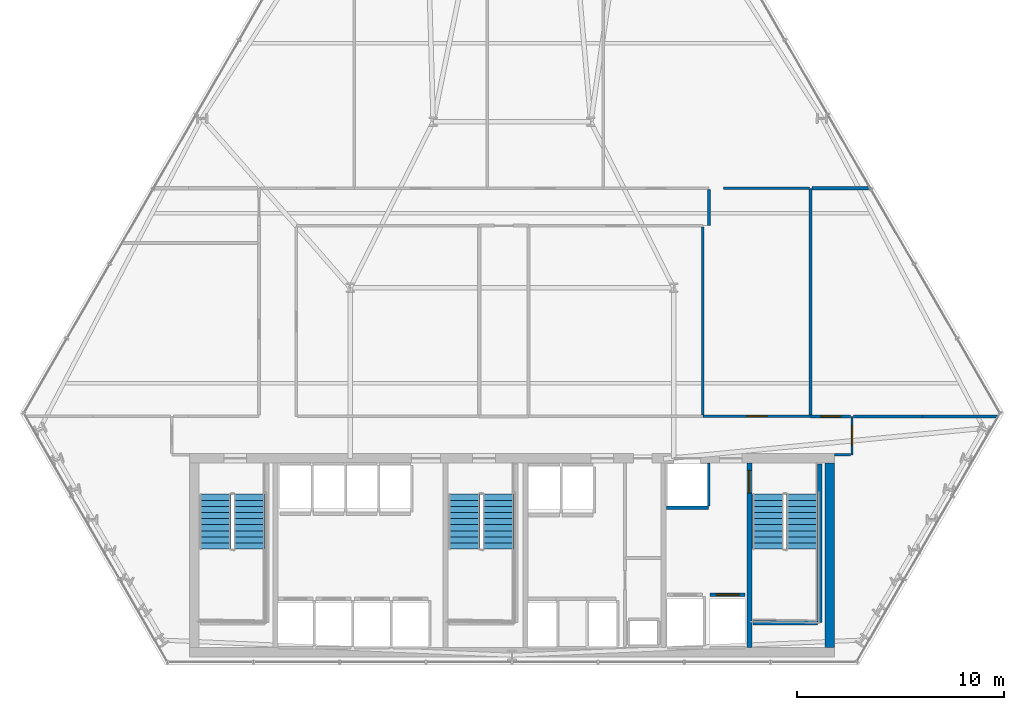
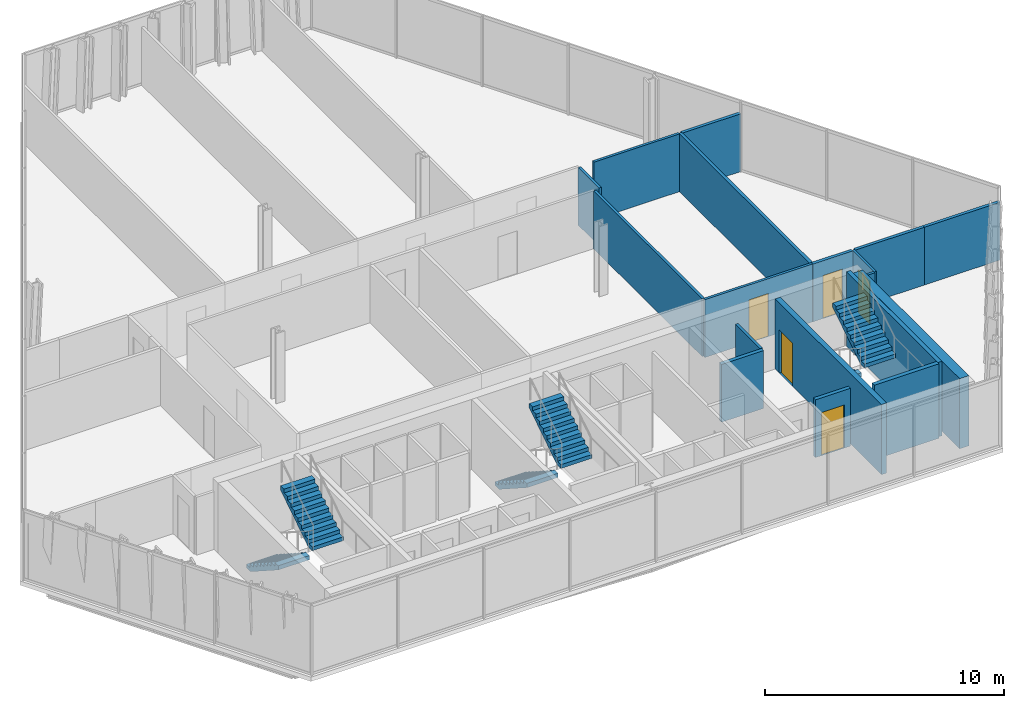
# One storey, part 29 of 32: 18 walls, 6 stair flights, 5 doors, 5 openings, 3 elements without a shape of their own.
"""IFC4 building model written with IfcOpenShell, lengths in metres."""

import ifcopenshell
import ifcopenshell.guid

model = None  # the IFC model being written
_history = None  # IfcOwnerHistory: only IFC2X3 demands one
_inside = {}  # id of a spatial element -> (the spatial element, [elements in it])
_under = {}  # id of a project, library or spatial element -> (it, [spatial elements below it])
_declared = {}  # id of a project -> (the project, [libraries it declares])
_typed = {}  # id of a type object -> (the type object, [elements of that type])
_made_of = {}  # id of a material, layer set ... -> (it, [elements and type objects made of it])


def new_model(schema):
    """Start an empty IFC model of exactly this schema.

    Asked for "IFC4X3", IfcOpenShell would pick the latest addendum, in which some entities
    have other attributes; the version numbers below select the first issue.
    IFC2X3 requires an IfcOwnerHistory on every rooted entity: one is made here for all.
    """
    global model, _history
    if schema == "IFC4X3":
        model = ifcopenshell.file(schema_version=(4, 3, 0, 0))
    else:
        model = ifcopenshell.file(schema=schema)
    _inside.clear()
    _under.clear()
    _declared.clear()
    _typed.clear()
    _made_of.clear()
    _history = None
    if model.schema == "IFC2X3":
        org = make("IfcOrganization", Name="unknown")
        user = make(
            "IfcPersonAndOrganization",
            ThePerson=make("IfcPerson", FamilyName="unknown"),
            TheOrganization=org,
        )
        app = make(
            "IfcApplication",
            ApplicationDeveloper=org,
            Version="unknown",
            ApplicationFullName="unknown",
            ApplicationIdentifier="unknown",
        )
        _history = make(
            "IfcOwnerHistory",
            OwningUser=user,
            OwningApplication=app,
            ChangeAction="ADDED",
            CreationDate=0,
        )
    return model


def make(cls, **values):
    """One entity of the class cls with the attributes given. An attribute that is None is left unset."""
    return model.create_entity(
        cls, **{name: value for name, value in values.items() if value is not None}
    )


def rooted(cls, **values):
    """An entity with a GlobalId (a new one), such as an element, a storey or a relation."""
    return make(cls, GlobalId=ifcopenshell.guid.new(), OwnerHistory=_history, **values)


def si_unit(unit_type, name, prefix=None):
    """IfcSIUnit, for example si_unit("LENGTHUNIT", "METRE", prefix="MILLI")."""
    return make("IfcSIUnit", UnitType=unit_type, Prefix=prefix, Name=name)


def assignment(units):
    """IfcUnitAssignment: the units of a project."""
    return None if units is None else make("IfcUnitAssignment", Units=units)


def point(xyz):
    """IfcCartesianPoint."""
    return None if xyz is None else make("IfcCartesianPoint", Coordinates=xyz)


def direction(xyz):
    """IfcDirection."""
    return None if xyz is None else make("IfcDirection", DirectionRatios=xyz)


def frame(location, z_axis=None, x_axis=None):
    """IfcAxis2Placement3D, a coordinate frame: its origin and axes. An axis left out is left unset."""
    return make(
        "IfcAxis2Placement3D",
        Location=point(location),
        Axis=direction(z_axis),
        RefDirection=direction(x_axis),
    )


def frame_2d(location, x_axis=None):
    """IfcAxis2Placement2D, a coordinate frame in the plane: its origin and x axis."""
    return make(
        "IfcAxis2Placement2D", Location=point(location), RefDirection=direction(x_axis)
    )


def origin():
    """The frame at (0, 0, 0) with its axes left unset."""
    return frame((0.0, 0.0, 0.0))


def place(relative_to, where):
    """IfcLocalPlacement: puts the frame where relative to a parent placement (None: the world)."""
    return make(
        "IfcLocalPlacement", PlacementRelTo=relative_to, RelativePlacement=where
    )


def context(
    kind, dimensions, precision=None, world=None, true_north=None, identifier=None
):
    """IfcGeometricRepresentationContext, for example the 3D "Model" context."""
    return make(
        "IfcGeometricRepresentationContext",
        ContextIdentifier=identifier,
        ContextType=kind,
        CoordinateSpaceDimension=dimensions,
        Precision=precision,
        WorldCoordinateSystem=world,
        TrueNorth=true_north,
    )


def subcontext(parent, identifier, kind, view, scale=None):
    """IfcGeometricRepresentationSubContext, for example "Body" below "Model"."""
    return make(
        "IfcGeometricRepresentationSubContext",
        ContextIdentifier=identifier,
        ContextType=kind,
        ParentContext=parent,
        TargetScale=scale,
        TargetView=view,
    )


def project(units=None, contexts=None):
    """IfcProject with its units and contexts."""
    return rooted(
        "IfcProject",
        Name="project",
        RepresentationContexts=contexts,
        UnitsInContext=assignment(units),
    )


def spatial(cls, under=None, at=None, **own):
    """A site, building, storey or space (cls), placed at a placement, below another one or the project."""
    s = rooted(cls, ObjectPlacement=at, **own)
    if under is not None:
        _under.setdefault(under.id(), (under, []))[1].append(s)
    return s


def polyline(points):
    """IfcPolyline through the points."""
    return make("IfcPolyline", Points=[point(p) for p in points])


def profile(cls, at=None, kind="AREA", **sizes):
    """A parametric profile (cls). Its sizes go by their IFC names, for example OverallWidth=200.0."""
    return make(cls, ProfileType=kind, Position=at, **sizes)


def rectangle(**sizes):
    """IfcRectangleProfileDef."""
    return profile("IfcRectangleProfileDef", **sizes)


def outline(outer, holes=None, kind="AREA"):
    """IfcArbitraryClosedProfileDef: a profile drawn as a closed curve; with holes, ...WithVoids."""
    if holes is None:
        return make("IfcArbitraryClosedProfileDef", ProfileType=kind, OuterCurve=outer)
    return make(
        "IfcArbitraryProfileDefWithVoids",
        ProfileType=kind,
        OuterCurve=outer,
        InnerCurves=holes,
    )


def extrude(swept, where, along, depth):
    """IfcExtrudedAreaSolid: the profile swept, set in the frame where, extruded along a direction by depth."""
    return make(
        "IfcExtrudedAreaSolid",
        SweptArea=swept,
        Position=where,
        ExtrudedDirection=direction(along),
        Depth=depth,
    )


def shape(context_of_items, identifier, shape_type, items):
    """IfcShapeRepresentation: the items that make up one representation, for example the "Body"."""
    return make(
        "IfcShapeRepresentation",
        ContextOfItems=context_of_items,
        RepresentationIdentifier=identifier,
        RepresentationType=shape_type,
        Items=items,
    )


def material(Name=None, Category=None):
    """IfcMaterial."""
    return make("IfcMaterial", Name=Name, Category=Category)


def layer(
    of_material, thickness, ventilated=None, Name=None, Category=None, Priority=None
):
    """IfcMaterialLayer: one layer of a wall or slab, of a material (None: an air gap)."""
    return make(
        "IfcMaterialLayer",
        Material=of_material,
        LayerThickness=thickness,
        IsVentilated=ventilated,
        Name=Name,
        Category=Category,
        Priority=Priority,
    )


def layer_set(layers, Name=None):
    """IfcMaterialLayerSet."""
    return make("IfcMaterialLayerSet", MaterialLayers=layers, LayerSetName=Name)


def made_of(thing, what):
    """Note that an element or type object is made of a material, layer set ...; save() writes the relation."""
    if what is not None:
        _made_of.setdefault(what.id(), (what, []))[1].append(thing)
    return thing


def type_object(cls, material=None, **own):
    """A type object (cls), such as IfcWallType, which elements share."""
    return made_of(rooted(cls, **own), material)


def element(
    cls,
    number,
    at=None,
    inside=None,
    cuts=None,
    type_object=None,
    material=None,
    context=None,
    identifier="Body",
    shape_type=None,
    held_by="IfcProductDefinitionShape",
    body=None,
    shapes=None,
    **own,
):
    """One element of the class cls, such as IfcWall. Its Tag is "e" and its number.

    at: its placement. inside: the storey or other place that contains it. cuts: it is an
    opening in that element (IfcRelVoidsElement). A single representation is given by context,
    identifier, shape_type and body (its items); several are given by shapes. held_by: the class
    of the entity that holds the representations. save() writes the other relations.
    """
    e = rooted(cls, Tag="e%d" % number, ObjectPlacement=at, **own)
    if body is not None:
        shapes = [shape(context, identifier, shape_type, body)]
    if shapes is not None:
        e.Representation = make(held_by, Representations=shapes)
    if inside is not None:
        _inside.setdefault(inside.id(), (inside, []))[1].append(e)
    if cuts is not None:
        rooted(
            "IfcRelVoidsElement", RelatingBuildingElement=cuts, RelatedOpeningElement=e
        )
    if type_object is not None:
        _typed.setdefault(type_object.id(), (type_object, []))[1].append(e)
    return made_of(e, material)


def fill(opening, filler):
    """IfcRelFillsElement: the door or window that sits in an opening."""
    return rooted(
        "IfcRelFillsElement",
        RelatingOpeningElement=opening,
        RelatedBuildingElement=filler,
    )


def aggregate(whole, parts):
    """IfcRelAggregates: a whole, such as a stair, and the parts it consists of."""
    return rooted("IfcRelAggregates", RelatingObject=whole, RelatedObjects=parts)


def save(model, path):
    """Write the relations noted so far, then the file.

    IfcRelAggregates (storeys below a building ...), IfcRelContainedInSpatialStructure (elements
    in a storey), IfcRelDefinesByType, IfcRelAssociatesMaterial and IfcRelDeclares: one each for
    every whole, place, type object, material and project.
    """
    for whole, parts in _under.values():
        aggregate(whole, parts)
    for where, things in _inside.values():
        rooted(
            "IfcRelContainedInSpatialStructure",
            RelatedElements=things,
            RelatingStructure=where,
        )
    for kind, things in _typed.values():
        rooted("IfcRelDefinesByType", RelatedObjects=things, RelatingType=kind)
    for what, things in _made_of.values():
        rooted("IfcRelAssociatesMaterial", RelatedObjects=things, RelatingMaterial=what)
    for by, libraries in _declared.values():
        rooted("IfcRelDeclares", RelatingContext=by, RelatedDefinitions=libraries)
    model.write(path)


model = new_model("IFC4")

# Units and contexts
model_context = context("Model", 3, precision=1e-05, world=origin(), true_north=direction((0.0, 1.0)))
body_context = subcontext(model_context, "Body", "Model", "MODEL_VIEW")
ifc_project = project(units=[si_unit("LENGTHUNIT", "METRE"), si_unit("AREAUNIT", "SQUARE_METRE"), si_unit("VOLUMEUNIT", "CUBIC_METRE"), si_unit("PLANEANGLEUNIT", "RADIAN"), si_unit("MASSUNIT", "GRAM", prefix="KILO")], contexts=[model_context])

# Site, building, storey
site_placement = place(None, origin())
site = spatial("IfcSite", under=ifc_project, at=site_placement, CompositionType="ELEMENT")
building_placement = place(site_placement, origin())
building = spatial("IfcBuilding", under=site, at=building_placement, Name="Ndaravel Arena Tower", CompositionType="ELEMENT")
storey_placement = place(building_placement, frame((0.0, 0.0, 96.800048828125)))
storey = spatial("IfcBuildingStorey", under=building, at=storey_placement, Name="L22", CompositionType="ELEMENT", Elevation=96.800048828125)

# Wall, opening, door
ifc_material_1 = material(Name="Concrete C60/75", Category="concrete")
ifc_layer_1 = layer(ifc_material_1, 0.25)
ifc_layer_set_1 = layer_set([ifc_layer_1], Name="Concrete C60/75")
wall_type_1 = type_object("IfcWallType", Name="WALL-CORE-250", PredefinedType="SOLIDWALL", material=ifc_layer_set_1)
wall_1_placement = place(storey_placement, frame((53.449951171875, 5.85009765625, 0.0), z_axis=(0.0, 0.0, 1.0), x_axis=(0.0, 1.0, 0.0)))
wall_1 = element("IfcWall", 1, at=wall_1_placement, inside=storey, type_object=wall_type_1, Name="L22 Core Web Shear Wall 5", PredefinedType="SOLIDWALL", context=body_context, shape_type="SweptSolid", body=[
    extrude(rectangle(XDim=8.89990234375, YDim=0.25, at=frame_2d((4.449951171875, 0.0))), origin(), (0.0, 0.0, 1.0), 3.579833984375),
])
opening_1_placement = place(wall_1_placement, frame((7.449951171875, 0.0, 0.0)))
opening_1 = element("IfcOpeningElement", 2, at=opening_1_placement, cuts=wall_1, Name="Opening FD-01", PredefinedType="OPENING", context=body_context, shape_type="SweptSolid", body=[
    extrude(rectangle(XDim=1.10009765625, YDim=2.199951171875, at=frame_2d((0.550048828125, 1.10009765625))), frame((0.0, 0.125, 0.0), z_axis=(0.0, -1.0, 0.0), x_axis=(1.0, 0.0, 0.0)), (0.0, 0.0, 1.0), 0.25),
])
ifc_material_2 = material(Name="Steel S355", Category="steel")
door_type_1 = type_object("IfcDoorType", Name="DT-01-STAIR-1100", OperationType="SINGLE_SWING_LEFT", PredefinedType="DOOR", material=ifc_material_2)
door_1_placement = place(opening_1_placement, origin())
door_1 = element("IfcDoor", 3, at=door_1_placement, inside=storey, type_object=door_type_1, Name="L22 Firefighting Lobby to ST-3 Door", OperationType="SINGLE_SWING_LEFT", OverallHeight=2.199951171875, OverallWidth=1.10009765625, PredefinedType="DOOR", context=body_context, shape_type="SweptSolid", body=[
    extrude(rectangle(XDim=1.10009765625, YDim=2.199951171875, at=frame_2d((0.550048828125, 1.10009765625))), frame((0.0, 0.02490234375, 0.0), z_axis=(0.0, -1.0, 0.0), x_axis=(1.0, 0.0, 0.0)), (0.0, 0.0, 1.0), 0.050048828125),
])
fill(opening_1, door_1)

# Wall
ifc_material_3 = material(Name="Concrete C60/75", Category="concrete")
ifc_layer_2 = layer(ifc_material_3, 0.449951171875)
ifc_layer_set_2 = layer_set([ifc_layer_2], Name="Concrete C60/75")
wall_type_2 = type_object("IfcWallType", Name="WALL-CORE-450", PredefinedType="SOLIDWALL", material=ifc_layer_set_2)
wall_2_placement = place(storey_placement, frame((57.324951171875, 5.85009765625, 0.0), z_axis=(0.0, 0.0, 1.0), x_axis=(0.0, 1.0, 0.0)))
element("IfcWall", 4, at=wall_2_placement, inside=storey, type_object=wall_type_2, Name="L22 Core East Shear Wall", PredefinedType="SOLIDWALL", context=body_context, shape_type="SweptSolid", body=[
    extrude(rectangle(XDim=8.89990234375, YDim=0.449951171875, at=frame_2d((4.449951171875, 0.0))), origin(), (0.0, 0.0, 1.0), 3.579833984375),
])

# Wall, opening, door
ifc_material_4 = material(Name="Timber", Category="wood")
ifc_layer_3 = layer(ifc_material_4, 0.10009765625)
ifc_layer_set_3 = layer_set([ifc_layer_3], Name="Timber")
wall_type_3 = type_object("IfcWallType", Name="WALL-MOVABLE-100", PredefinedType="MOVABLE", material=ifc_layer_set_3)
wall_3_placement = place(storey_placement, frame((58.39990234375, 17.0, 0.0), z_axis=(0.0, 0.0, 1.0), x_axis=(0.0, -1.0, 0.0)))
wall_3 = element("IfcWall", 5, at=wall_3_placement, inside=storey, type_object=wall_type_3, Name="L22 Interior Partition 001", PredefinedType="MOVABLE", context=body_context, shape_type="SweptSolid", body=[
    extrude(rectangle(XDim=1.85009765625, YDim=0.10009765625, at=frame_2d((0.925048828125, 0.0))), origin(), (0.0, 0.0, 1.0), 2.949951171875),
])
opening_2_placement = place(wall_3_placement, frame((0.449951171875, 0.0, 0.0)))
opening_2 = element("IfcOpeningElement", 6, at=opening_2_placement, cuts=wall_3, Name="Opening ID-01", PredefinedType="OPENING", context=body_context, shape_type="SweptSolid", body=[
    extrude(rectangle(XDim=0.949951171875, YDim=2.199951171875, at=frame_2d((0.47509765625, 1.10009765625))), frame((0.0, 0.050048828125, 0.0), z_axis=(0.0, -1.0, 0.0), x_axis=(1.0, 0.0, 0.0)), (0.0, 0.0, 1.0), 0.10009765625),
])
ifc_material_5 = material(Name="Timber", Category="wood")
door_type_2 = type_object("IfcDoorType", Name="DT-03-OFFICE-950", OperationType="SINGLE_SWING_LEFT", PredefinedType="DOOR", material=ifc_material_5)
door_2_placement = place(opening_2_placement, origin())
door_2 = element("IfcDoor", 7, at=door_2_placement, inside=storey, type_object=door_type_2, Name="L22 Staff Wellness Clinic Door", OperationType="SINGLE_SWING_RIGHT", OverallHeight=2.199951171875, OverallWidth=0.949951171875, PredefinedType="DOOR", context=body_context, shape_type="SweptSolid", body=[
    extrude(rectangle(XDim=0.949951171875, YDim=2.199951171875, at=frame_2d((0.47509765625, 1.10009765625))), frame((0.0, 0.02490234375, 0.0), z_axis=(0.0, -1.0, 0.0), x_axis=(1.0, 0.0, 0.0)), (0.0, 0.0, 1.0), 0.050048828125),
])
fill(opening_2, door_2)

# Walls
ifc_material_6 = material(Name="Gypsum", Category="gypsum")
ifc_layer_4 = layer(ifc_material_6, 0.125)
ifc_layer_set_4 = layer_set([ifc_layer_4], Name="Gypsum")
wall_type_4 = type_object("IfcWallType", Name="WALL-PART-125", PredefinedType="PARTITIONING", material=ifc_layer_set_4)
wall_4_placement = place(storey_placement, frame((58.3349609375, 15.14990234375, 0.0), z_axis=(0.0, 0.0, 1.0), x_axis=(-1.0, 0.0, 0.0)))
element("IfcWall", 8, at=wall_4_placement, inside=storey, type_object=wall_type_4, Name="L22 Interior Partition 002", PredefinedType="PARTITIONING", context=body_context, shape_type="SweptSolid", body=[
    extrude(rectangle(XDim=0.784912109375, YDim=0.125, at=frame_2d((0.392578125, 0.0))), origin(), (0.0, 0.0, 1.0), 2.949951171875),
])
wall_5_placement = place(storey_placement, frame((51.5, 27.93505859375, 0.0), z_axis=(0.0, 0.0, 1.0), x_axis=(0.0, -1.0, 0.0)))
element("IfcWall", 9, at=wall_5_placement, inside=storey, type_object=wall_type_4, Name="L22 Interior Partition 015", PredefinedType="PARTITIONING", context=body_context, shape_type="SweptSolid", body=[
    extrude(rectangle(XDim=1.735107421875, YDim=0.125, at=frame_2d((0.86767578125, 0.0))), origin(), (0.0, 0.0, 1.0), 2.949951171875),
])

# Wall, opening, door
wall_6_placement = place(storey_placement, frame((51.199951171875, 17.0, 0.0), z_axis=(0.0, 0.0, 1.0), x_axis=(1.0, 0.0, 0.0)))
wall_6 = element("IfcWall", 10, at=wall_6_placement, inside=storey, type_object=wall_type_4, Name="L22 Interior Partition 023", PredefinedType="PARTITIONING", context=body_context, shape_type="SweptSolid", body=[
    extrude(rectangle(XDim=5.199951171875, YDim=0.125, at=frame_2d((2.60009765625, 0.0))), origin(), (0.0, 0.0, 1.0), 2.949951171875),
])
opening_3_placement = place(wall_6_placement, frame((2.125, 0.0, 0.0)))
opening_3 = element("IfcOpeningElement", 11, at=opening_3_placement, cuts=wall_6, Name="Opening ID-01", PredefinedType="OPENING", context=body_context, shape_type="SweptSolid", body=[
    extrude(rectangle(XDim=0.949951171875, YDim=2.199951171875, at=frame_2d((0.47509765625, 1.10009765625))), frame((0.0, 0.0625, 0.0), z_axis=(0.0, -1.0, 0.0), x_axis=(1.0, 0.0, 0.0)), (0.0, 0.0, 1.0), 0.125),
])
door_3_placement = place(opening_3_placement, origin())
door_3 = element("IfcDoor", 12, at=door_3_placement, inside=storey, type_object=door_type_2, Name="L22 Occupational Consult Room 2 Door", OperationType="SINGLE_SWING_RIGHT", OverallHeight=2.199951171875, OverallWidth=0.949951171875, PredefinedType="DOOR", context=body_context, shape_type="SweptSolid", body=[
    extrude(rectangle(XDim=0.949951171875, YDim=2.199951171875, at=frame_2d((0.47509765625, 1.10009765625))), frame((0.0, 0.02490234375, 0.0), z_axis=(0.0, -1.0, 0.0), x_axis=(1.0, 0.0, 0.0)), (0.0, 0.0, 1.0), 0.050048828125),
])
fill(opening_3, door_3)

# Walls
wall_7_placement = place(storey_placement, frame((51.199951171875, 26.135009765625, 0.0), z_axis=(0.0, 0.0, 1.0), x_axis=(0.0, -1.0, 0.0)))
element("IfcWall", 13, at=wall_7_placement, inside=storey, type_object=wall_type_4, Name="L22 Interior Partition 034", PredefinedType="PARTITIONING", context=body_context, shape_type="SweptSolid", body=[
    extrude(rectangle(XDim=9.070068359375, YDim=0.125, at=frame_2d((4.53515625, 0.0))), origin(), (0.0, 0.0, 1.0), 2.949951171875),
])
wall_8_placement = place(storey_placement, frame((52.199951171875, 28.0, 0.0), z_axis=(0.0, 0.0, 1.0), x_axis=(1.0, 0.0, 0.0)))
element("IfcWall", 14, at=wall_8_placement, inside=storey, type_object=wall_type_4, Name="L22 Interior Partition 035", PredefinedType="PARTITIONING", context=body_context, shape_type="SweptSolid", body=[
    extrude(rectangle(XDim=4.135009765625, YDim=0.125, at=frame_2d((2.0673828125, 0.0))), origin(), (0.0, 0.0, 1.0), 2.949951171875),
])
ifc_material_7 = material(Name="Concrete C40/50", Category="concrete")
ifc_layer_5 = layer(ifc_material_7, 0.1201171875)
ifc_layer_set_5 = layer_set([ifc_layer_5], Name="Concrete C40/50")
wall_type_5 = type_object("IfcWallType", Name="WALL-SHAFT-120", PredefinedType="SOLIDWALL", material=ifc_layer_set_5)
wall_9_placement = place(storey_placement, frame((51.47998046875, 12.68994140625, 0.0), z_axis=(0.0, 0.0, 1.0), x_axis=(0.0, 1.0, 0.0)))
element("IfcWall", 15, at=wall_9_placement, inside=storey, type_object=wall_type_5, Name="L22 SVL-1 Shaft E Wall", PredefinedType="SOLIDWALL", context=body_context, shape_type="SweptSolid", body=[
    extrude(rectangle(XDim=2.070068359375, YDim=0.1201171875, at=frame_2d((1.03515625, 0.0))), origin(), (0.0, 0.0, 1.0), 2.949951171875),
])
ifc_material_8 = material(Name="Concrete C40/50", Category="concrete")
ifc_layer_6 = layer(ifc_material_8, 0.199951171875)
ifc_layer_set_6 = layer_set([ifc_layer_6], Name="Concrete C40/50")
wall_type_6 = type_object("IfcWallType", Name="WALL-SHAFT-200", PredefinedType="SOLIDWALL", material=ifc_layer_set_6)
wall_10_placement = place(storey_placement, frame((56.840087890625, 14.699951171875, 0.0), z_axis=(0.0, 0.0, 1.0), x_axis=(0.0, -1.0, 0.0)))
element("IfcWall", 16, at=wall_10_placement, inside=storey, type_object=wall_type_6, Name="L22 ST-3 Structural Shaft Wall Right", PredefinedType="SOLIDWALL", context=body_context, shape_type="SweptSolid", body=[
    extrude(rectangle(XDim=7.64990234375, YDim=0.199951171875, at=frame_2d((3.824951171875, 0.0))), origin(), (0.0, 0.0, 1.0), 3.800048828125),
])
wall_11_placement = place(storey_placement, frame((53.6201171875, 7.050048828125, 0.0), z_axis=(0.0, 0.0, 1.0), x_axis=(1.0, 0.0, 0.0)))
element("IfcWall", 17, at=wall_11_placement, inside=storey, type_object=wall_type_6, Name="L22 ST-3 Structural Shaft Wall Far", PredefinedType="SOLIDWALL", context=body_context, shape_type="SweptSolid", body=[
    extrude(rectangle(XDim=3.114990234375, YDim=0.199951171875, at=frame_2d((1.5576171875, 0.0))), origin(), (0.0, 0.0, 1.0), 3.800048828125),
])

# Wall, opening, door
wall_12_placement = place(storey_placement, frame((51.554931640625, 8.39990234375, 0.0), z_axis=(0.0, 0.0, 1.0), x_axis=(1.0, 0.0, 0.0)))
wall_12 = element("IfcWall", 18, at=wall_12_placement, inside=storey, type_object=wall_type_6, Name="L22 FFL-2 Shaft Landing Wall", PredefinedType="SOLIDWALL", context=body_context, shape_type="SweptSolid", body=[
    extrude(rectangle(XDim=1.690185546875, YDim=0.179931640625, at=frame_2d((0.84521484375, 0.0))), origin(), (0.0, 0.0, 1.0), 2.949951171875),
])
opening_4_placement = place(wall_12_placement, frame((0.294921875, 0.0, 0.0)))
opening_4 = element("IfcOpeningElement", 19, at=opening_4_placement, cuts=wall_12, Name="Opening LD-01", PredefinedType="OPENING", context=body_context, shape_type="SweptSolid", body=[
    extrude(rectangle(XDim=1.10009765625, YDim=2.199951171875, at=frame_2d((0.550048828125, 1.10009765625))), frame((0.0, 0.08984375, 0.0), z_axis=(0.0, -1.0, 0.0), x_axis=(1.0, 0.0, 0.0)), (0.0, 0.0, 1.0), 0.179931640625),
])
ifc_material_9 = material(Name="Steel S355", Category="steel")
door_type_3 = type_object("IfcDoorType", Name="DT-06-LIFT-1100", OperationType="SLIDING_TO_LEFT", PredefinedType="DOOR", material=ifc_material_9)
door_4_placement = place(opening_4_placement, origin())
door_4 = element("IfcDoor", 20, at=door_4_placement, inside=storey, type_object=door_type_3, Name="L22 Lift FFL-2 Sliding Landing Door", OperationType="SLIDING_TO_LEFT", OverallHeight=2.199951171875, OverallWidth=1.10009765625, PredefinedType="DOOR", context=body_context, shape_type="SweptSolid", body=[
    extrude(rectangle(XDim=1.10009765625, YDim=2.199951171875, at=frame_2d((0.550048828125, 1.10009765625))), frame((0.0, 0.02490234375, 0.0), z_axis=(0.0, -1.0, 0.0), x_axis=(1.0, 0.0, 0.0)), (0.0, 0.0, 1.0), 0.050048828125),
])
fill(opening_4, door_4)

# Wall
wall_13_placement = place(storey_placement, frame((49.43994140625, 12.594970703125, 0.0), z_axis=(0.0, 0.0, 1.0), x_axis=(1.0, 0.0, 0.0)))
element("IfcWall", 21, at=wall_13_placement, inside=storey, type_object=wall_type_6, Name="L22 SVL-1 Shaft South Wall", PredefinedType="SOLIDWALL", context=body_context, shape_type="SweptSolid", body=[
    extrude(rectangle(XDim=2.0400390625, YDim=0.179931640625, at=frame_2d((1.02001953125, 0.0))), origin(), (0.0, 0.0, 1.0), 2.949951171875),
])

# Wall, opening, door
ifc_material_10 = material(Name="Masonry", Category="masonry")
ifc_layer_7 = layer(ifc_material_10, 0.14990234375)
ifc_layer_set_7 = layer_set([ifc_layer_7], Name="Masonry")
wall_type_7 = type_object("IfcWallType", Name="WALL-WET-150", PredefinedType="PARTITIONING", material=ifc_layer_set_7)
wall_14_placement = place(storey_placement, frame((56.39990234375, 17.0, 0.0), z_axis=(0.0, 0.0, 1.0), x_axis=(1.0, 0.0, 0.0)))
wall_14 = element("IfcWall", 22, at=wall_14_placement, inside=storey, type_object=wall_type_7, Name="L22 Interior Partition 024", PredefinedType="PARTITIONING", context=body_context, shape_type="SweptSolid", body=[
    extrude(rectangle(XDim=1.93505859375, YDim=0.14990234375, at=frame_2d((0.967529296875, 0.0))), origin(), (0.0, 0.0, 1.0), 2.949951171875),
])
opening_5_placement = place(wall_14_placement, frame((0.492431640625, 0.0, 0.0)))
opening_5 = element("IfcOpeningElement", 23, at=opening_5_placement, cuts=wall_14, Name="Opening FD-03", PredefinedType="OPENING", context=body_context, shape_type="SweptSolid", body=[
    extrude(rectangle(XDim=0.949951171875, YDim=2.199951171875, at=frame_2d((0.47509765625, 1.10009765625))), frame((0.0, 0.074951171875, 0.0), z_axis=(0.0, -1.0, 0.0), x_axis=(1.0, 0.0, 0.0)), (0.0, 0.0, 1.0), 0.14990234375),
])
ifc_material_11 = material(Name="Steel S355", Category="steel")
door_type_4 = type_object("IfcDoorType", Name="DT-11-CORE-950", OperationType="SINGLE_SWING_LEFT", PredefinedType="DOOR", material=ifc_material_11)
door_5_placement = place(opening_5_placement, origin())
door_5 = element("IfcDoor", 24, at=door_5_placement, inside=storey, type_object=door_type_4, Name="L22 Staff Espresso Kitchen Door", OperationType="SINGLE_SWING_RIGHT", OverallHeight=2.199951171875, OverallWidth=0.949951171875, PredefinedType="DOOR", context=body_context, shape_type="SweptSolid", body=[
    extrude(rectangle(XDim=0.949951171875, YDim=2.199951171875, at=frame_2d((0.47509765625, 1.10009765625))), frame((0.0, 0.02490234375, 0.0), z_axis=(0.0, -1.0, 0.0), x_axis=(1.0, 0.0, 0.0)), (0.0, 0.0, 1.0), 0.050048828125),
])
fill(opening_5, door_5)

# Walls
wall_15_placement = place(storey_placement, frame((58.465087890625, 17.0, 0.0), z_axis=(0.0, 0.0, 1.0), x_axis=(1.0, 0.0, 0.0)))
element("IfcWall", 25, at=wall_15_placement, inside=storey, type_object=wall_type_7, Name="L22 Interior Partition 027", PredefinedType="PARTITIONING", context=body_context, shape_type="SweptSolid", body=[
    extrude(rectangle(XDim=3.3349609375, YDim=0.14990234375, at=frame_2d((1.66748046875, 0.0))), origin(), (0.0, 0.0, 1.0), 2.949951171875),
])
wall_16_placement = place(storey_placement, frame((61.800048828125, 17.0, 0.0), z_axis=(0.0, 0.0, 1.0), x_axis=(1.0, 0.0, 0.0)))
element("IfcWall", 26, at=wall_16_placement, inside=storey, type_object=wall_type_7, Name="L22 Interior Partition 028", PredefinedType="PARTITIONING", context=body_context, shape_type="SweptSolid", body=[
    extrude(rectangle(XDim=3.648193359375, YDim=0.14990234375, at=frame_2d((1.82421875, 0.0))), origin(), (0.0, 0.0, 1.0), 2.949951171875),
])
wall_17_placement = place(storey_placement, frame((56.39990234375, 17.06494140625, 0.0), z_axis=(0.0, 0.0, 1.0), x_axis=(0.0, 1.0, 0.0)))
element("IfcWall", 27, at=wall_17_placement, inside=storey, type_object=wall_type_7, Name="L22 Interior Partition 030", PredefinedType="PARTITIONING", context=body_context, shape_type="SweptSolid", body=[
    extrude(rectangle(XDim=10.93505859375, YDim=0.14990234375, at=frame_2d((5.467529296875, 0.0))), origin(), (0.0, 0.0, 1.0), 2.949951171875),
])
wall_18_placement = place(storey_placement, frame((56.465087890625, 28.0, 0.0), z_axis=(0.0, 0.0, 1.0), x_axis=(1.0, 0.0, 0.0)))
element("IfcWall", 28, at=wall_18_placement, inside=storey, type_object=wall_type_7, Name="L22 Interior Partition 031", PredefinedType="PARTITIONING", context=body_context, shape_type="SweptSolid", body=[
    extrude(rectangle(XDim=2.81787109375, YDim=0.14990234375, at=frame_2d((1.408935546875, 0.0))), origin(), (0.0, 0.0, 1.0), 2.949951171875),
])

# Stair, stair flights
ifc_material_12 = material(Name="Concrete C40/50", Category="concrete")
stair_type = type_object("IfcStairType", Name="STAIR-CORE-HT", PredefinedType="HALF_TURN_STAIR", material=ifc_material_12)
stair_1_placement = place(storey_placement, origin())
stair_1 = element("IfcStair", 29, at=stair_1_placement, inside=storey, type_object=stair_type, Name="L22 ST-1", PredefinedType="HALF_TURN_STAIR")
ifc_material_13 = material(Name="Concrete C40/50", Category="concrete")
stair_flight_type = type_object("IfcStairFlightType", Name="SFLIGHT-CORE-1680", PredefinedType="STRAIGHT", material=ifc_material_13)
stair_flight_1_placement = place(storey_placement, frame((27.699951171875, 13.25, 0.0), z_axis=(0.0, 0.0, 1.0), x_axis=(0.0, -1.0, 0.0)))
stair_flight_1 = element("IfcStairFlight", 30, at=stair_flight_1_placement, type_object=stair_flight_type, Name="ST-1 flight 1", NumberOfRisers=10, NumberOfTreads=9, PredefinedType="STRAIGHT", RiserHeight=0.19, TreadLength=0.295, context=body_context, shape_type="SweptSolid", body=[
    extrude(outline(polyline([(0.0, 0.0), (0.0, 0.18994140625), (0.294921875, 0.18994140625), (0.294921875, 0.3798828125), (0.590087890625, 0.3798828125), (0.590087890625, 0.570068359375), (0.885009765625, 0.570068359375), (0.885009765625, 0.760009765625), (1.179931640625, 0.760009765625), (1.179931640625, 0.949951171875), (1.47509765625, 0.949951171875), (1.47509765625, 1.139892578125), (1.77001953125, 1.139892578125), (1.77001953125, 1.330078125), (2.06494140625, 1.330078125), (2.06494140625, 1.52001953125), (2.360107421875, 1.52001953125), (2.360107421875, 1.7099609375), (2.655029296875, 1.7099609375), (2.655029296875, 1.89990234375), (2.655029296875, 1.49609375), (0.332275390625, 0.0), (0.0, 0.0)])), frame((0.0, 0.75, 0.0), z_axis=(0.0, -1.0, 0.0), x_axis=(1.0, 0.0, 0.0)), (0.0, 0.0, 1.0), 1.5),
])
stair_flight_2_placement = place(storey_placement, frame((29.340087890625, 10.594970703125, 1.89990234375), z_axis=(0.0, 0.0, 1.0), x_axis=(0.0, 1.0, 0.0)))
stair_flight_2 = element("IfcStairFlight", 31, at=stair_flight_2_placement, type_object=stair_flight_type, Name="ST-1 flight 2", NumberOfRisers=10, NumberOfTreads=9, PredefinedType="STRAIGHT", RiserHeight=0.19, TreadLength=0.295, context=body_context, shape_type="SweptSolid", body=[
    extrude(outline(polyline([(0.0, 0.0), (0.0, 0.18994140625), (0.294921875, 0.18994140625), (0.294921875, 0.3798828125), (0.590087890625, 0.3798828125), (0.590087890625, 0.570068359375), (0.885009765625, 0.570068359375), (0.885009765625, 0.760009765625), (1.179931640625, 0.760009765625), (1.179931640625, 0.949951171875), (1.47509765625, 0.949951171875), (1.47509765625, 1.139892578125), (1.77001953125, 1.139892578125), (1.77001953125, 1.330078125), (2.06494140625, 1.330078125), (2.06494140625, 1.52001953125), (2.360107421875, 1.52001953125), (2.360107421875, 1.7099609375), (2.655029296875, 1.7099609375), (2.655029296875, 1.89990234375), (2.655029296875, 1.49609375), (0.332275390625, 0.0), (0.0, 0.0)])), frame((0.0, 0.75, 0.0), z_axis=(0.0, -1.0, 0.0), x_axis=(1.0, 0.0, 0.0)), (0.0, 0.0, 1.0), 1.5),
])
aggregate(stair_1, [stair_flight_1, stair_flight_2])

stair_2_placement = place(storey_placement, origin())
stair_2 = element("IfcStair", 32, at=stair_2_placement, inside=storey, type_object=stair_type, Name="L22 ST-2", PredefinedType="HALF_TURN_STAIR")
stair_flight_3_placement = place(storey_placement, frame((39.699951171875, 13.25, 0.0), z_axis=(0.0, 0.0, 1.0), x_axis=(0.0, -1.0, 0.0)))
stair_flight_3 = element("IfcStairFlight", 33, at=stair_flight_3_placement, type_object=stair_flight_type, Name="ST-2 flight 1", NumberOfRisers=10, NumberOfTreads=9, PredefinedType="STRAIGHT", RiserHeight=0.19, TreadLength=0.295, context=body_context, shape_type="SweptSolid", body=[
    extrude(outline(polyline([(0.0, 0.0), (0.0, 0.18994140625), (0.294921875, 0.18994140625), (0.294921875, 0.3798828125), (0.590087890625, 0.3798828125), (0.590087890625, 0.570068359375), (0.885009765625, 0.570068359375), (0.885009765625, 0.760009765625), (1.179931640625, 0.760009765625), (1.179931640625, 0.949951171875), (1.47509765625, 0.949951171875), (1.47509765625, 1.139892578125), (1.77001953125, 1.139892578125), (1.77001953125, 1.330078125), (2.06494140625, 1.330078125), (2.06494140625, 1.52001953125), (2.360107421875, 1.52001953125), (2.360107421875, 1.7099609375), (2.655029296875, 1.7099609375), (2.655029296875, 1.89990234375), (2.655029296875, 1.49609375), (0.332275390625, 0.0), (0.0, 0.0)])), frame((0.0, 0.75, 0.0), z_axis=(0.0, -1.0, 0.0), x_axis=(1.0, 0.0, 0.0)), (0.0, 0.0, 1.0), 1.5),
])
stair_flight_4_placement = place(storey_placement, frame((41.340087890625, 10.594970703125, 1.89990234375), z_axis=(0.0, 0.0, 1.0), x_axis=(0.0, 1.0, 0.0)))
stair_flight_4 = element("IfcStairFlight", 34, at=stair_flight_4_placement, type_object=stair_flight_type, Name="ST-2 flight 2", NumberOfRisers=10, NumberOfTreads=9, PredefinedType="STRAIGHT", RiserHeight=0.19, TreadLength=0.295, context=body_context, shape_type="SweptSolid", body=[
    extrude(outline(polyline([(0.0, 0.0), (0.0, 0.18994140625), (0.294921875, 0.18994140625), (0.294921875, 0.3798828125), (0.590087890625, 0.3798828125), (0.590087890625, 0.570068359375), (0.885009765625, 0.570068359375), (0.885009765625, 0.760009765625), (1.179931640625, 0.760009765625), (1.179931640625, 0.949951171875), (1.47509765625, 0.949951171875), (1.47509765625, 1.139892578125), (1.77001953125, 1.139892578125), (1.77001953125, 1.330078125), (2.06494140625, 1.330078125), (2.06494140625, 1.52001953125), (2.360107421875, 1.52001953125), (2.360107421875, 1.7099609375), (2.655029296875, 1.7099609375), (2.655029296875, 1.89990234375), (2.655029296875, 1.49609375), (0.332275390625, 0.0), (0.0, 0.0)])), frame((0.0, 0.75, 0.0), z_axis=(0.0, -1.0, 0.0), x_axis=(1.0, 0.0, 0.0)), (0.0, 0.0, 1.0), 1.5),
])
aggregate(stair_2, [stair_flight_3, stair_flight_4])

stair_3_placement = place(storey_placement, origin())
stair_3 = element("IfcStair", 35, at=stair_3_placement, inside=storey, type_object=stair_type, Name="L22 ST-3", PredefinedType="HALF_TURN_STAIR")
stair_flight_5_placement = place(storey_placement, frame((54.35009765625, 13.25, 0.0), z_axis=(0.0, 0.0, 1.0), x_axis=(0.0, -1.0, 0.0)))
stair_flight_5 = element("IfcStairFlight", 36, at=stair_flight_5_placement, type_object=stair_flight_type, Name="ST-3 flight 1", NumberOfRisers=10, NumberOfTreads=9, PredefinedType="STRAIGHT", RiserHeight=0.19, TreadLength=0.295, context=body_context, shape_type="SweptSolid", body=[
    extrude(outline(polyline([(0.0, 0.0), (0.0, 0.18994140625), (0.294921875, 0.18994140625), (0.294921875, 0.3798828125), (0.590087890625, 0.3798828125), (0.590087890625, 0.570068359375), (0.885009765625, 0.570068359375), (0.885009765625, 0.760009765625), (1.179931640625, 0.760009765625), (1.179931640625, 0.949951171875), (1.47509765625, 0.949951171875), (1.47509765625, 1.139892578125), (1.77001953125, 1.139892578125), (1.77001953125, 1.330078125), (2.06494140625, 1.330078125), (2.06494140625, 1.52001953125), (2.360107421875, 1.52001953125), (2.360107421875, 1.7099609375), (2.655029296875, 1.7099609375), (2.655029296875, 1.89990234375), (2.655029296875, 1.49609375), (0.332275390625, 0.0), (0.0, 0.0)])), frame((0.0, 0.75, 0.0), z_axis=(0.0, -1.0, 0.0), x_axis=(1.0, 0.0, 0.0)), (0.0, 0.0, 1.0), 1.5),
])
stair_flight_6_placement = place(storey_placement, frame((55.989990234375, 10.594970703125, 1.89990234375), z_axis=(0.0, 0.0, 1.0), x_axis=(0.0, 1.0, 0.0)))
stair_flight_6 = element("IfcStairFlight", 37, at=stair_flight_6_placement, type_object=stair_flight_type, Name="ST-3 flight 2", NumberOfRisers=10, NumberOfTreads=9, PredefinedType="STRAIGHT", RiserHeight=0.19, TreadLength=0.295, context=body_context, shape_type="SweptSolid", body=[
    extrude(outline(polyline([(0.0, 0.0), (0.0, 0.18994140625), (0.294921875, 0.18994140625), (0.294921875, 0.3798828125), (0.590087890625, 0.3798828125), (0.590087890625, 0.570068359375), (0.885009765625, 0.570068359375), (0.885009765625, 0.760009765625), (1.179931640625, 0.760009765625), (1.179931640625, 0.949951171875), (1.47509765625, 0.949951171875), (1.47509765625, 1.139892578125), (1.77001953125, 1.139892578125), (1.77001953125, 1.330078125), (2.06494140625, 1.330078125), (2.06494140625, 1.52001953125), (2.360107421875, 1.52001953125), (2.360107421875, 1.7099609375), (2.655029296875, 1.7099609375), (2.655029296875, 1.89990234375), (2.655029296875, 1.49609375), (0.332275390625, 0.0), (0.0, 0.0)])), frame((0.0, 0.75, 0.0), z_axis=(0.0, -1.0, 0.0), x_axis=(1.0, 0.0, 0.0)), (0.0, 0.0, 1.0), 1.5),
])
aggregate(stair_3, [stair_flight_5, stair_flight_6])

save(model, "model.ifc")
